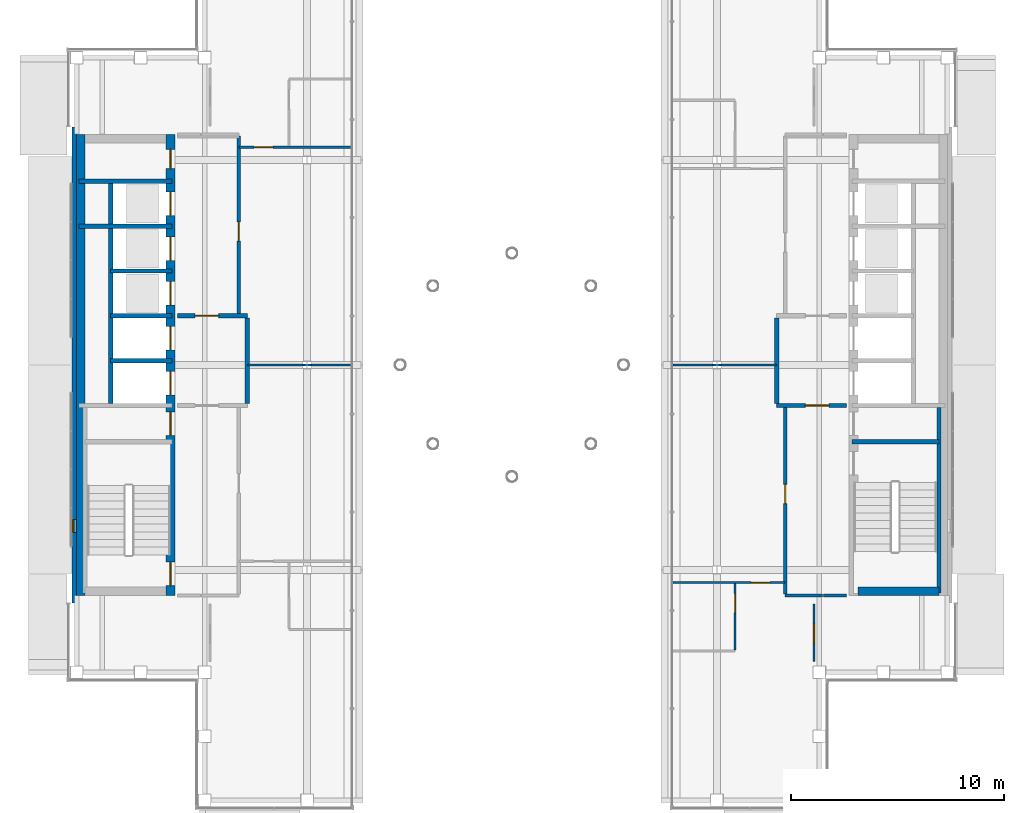
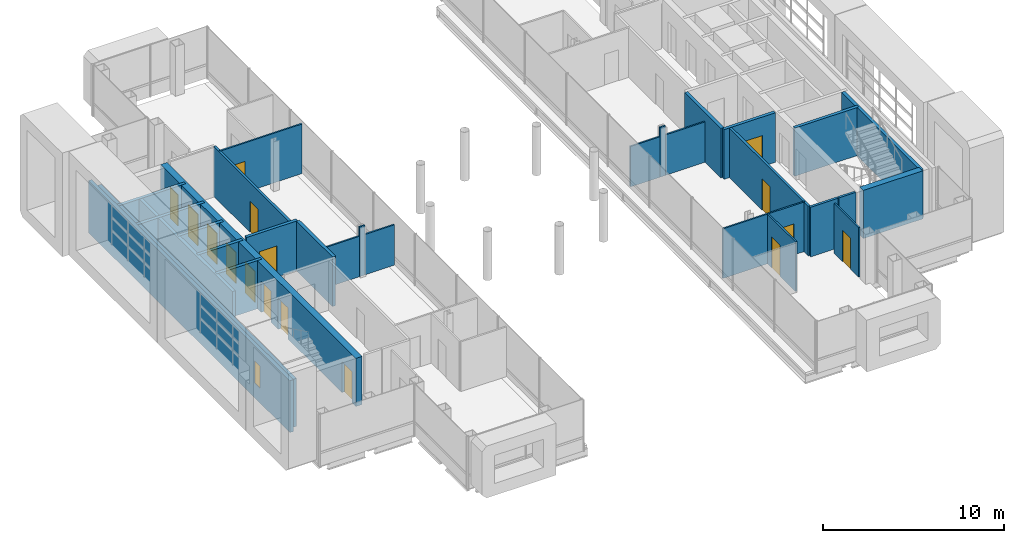
# One storey, part 11 of 21: 31 walls, 16 doors, 1 window, 17 openings.
"""IFC4 building model written with IfcOpenShell, lengths in metres."""

from ifc_helpers import new_model, si_unit, direction, frame, frame_2d, origin, place, context, subcontext, project, spatial, rectangle, extrude, material, layer, layer_set, type_object, element, fill, save


model = new_model("IFC4")

# Units and contexts
model_context = context("Model", 3, precision=1e-05, world=origin(), true_north=direction((0.0, 1.0)))
body_context = subcontext(model_context, "Body", "Model", "MODEL_VIEW")
ifc_project = project(units=[si_unit("LENGTHUNIT", "METRE"), si_unit("AREAUNIT", "SQUARE_METRE"), si_unit("VOLUMEUNIT", "CUBIC_METRE"), si_unit("PLANEANGLEUNIT", "RADIAN"), si_unit("MASSUNIT", "GRAM", prefix="KILO")], contexts=[model_context])

# Site, building, storey
site_placement = place(None, origin())
site = spatial("IfcSite", under=ifc_project, at=site_placement, CompositionType="ELEMENT")
building_placement = place(site_placement, origin())
building = spatial("IfcBuilding", under=site, at=building_placement, Name="Cobrizo Arcos Hotel Tower", CompositionType="ELEMENT")
storey_placement = place(building_placement, frame((0.0, 0.0, 269.0)))
storey = spatial("IfcBuildingStorey", under=building, at=storey_placement, Name="L71", CompositionType="ELEMENT", Elevation=269.0)

# Walls
ifc_material_1 = material(Name="Gypsum board partition")
ifc_layer_1 = layer(ifc_material_1, 0.14990234375)
ifc_layer_set_1 = layer_set([ifc_layer_1], Name="Corridor wall EI 60 150")
wall_type_1 = type_object("IfcWallType", Name="Corridor wall EI 60 150", PredefinedType="PARTITIONING", material=ifc_layer_set_1)
wall_1_placement = place(storey_placement, frame((12.800048828125, -10.800048828125, 0.0), z_axis=(0.0, 0.0, 1.0), x_axis=(1.0, 0.0, 0.0)))
element("IfcWall", 1, at=wall_1_placement, inside=storey, type_object=wall_type_1, Name="Partition 005", PredefinedType="PARTITIONING", context=body_context, shape_type="SweptSolid", body=[
    extrude(rectangle(XDim=1.75, YDim=0.14990234375, at=frame_2d((0.875, 0.0))), origin(), (0.0, 0.0, 1.0), 3.35009765625),
])
wall_2_placement = place(storey_placement, frame((14.60009765625, -10.800048828125, 0.0), z_axis=(0.0, 0.0, 1.0), x_axis=(1.0, 0.0, 0.0)))
element("IfcWall", 2, at=wall_2_placement, inside=storey, type_object=wall_type_1, Name="Partition 006", PredefinedType="PARTITIONING", context=body_context, shape_type="SweptSolid", body=[
    extrude(rectangle(XDim=1.079833984375, YDim=0.14990234375, at=frame_2d((0.5400390625, 0.0))), origin(), (0.0, 0.0, 1.0), 3.35009765625),
])

# Wall, opening, door
wall_3_placement = place(storey_placement, frame((-12.800048828125, 2.39990234375, 0.0), z_axis=(0.0, 0.0, 1.0), x_axis=(0.0, 1.0, 0.0)))
wall_3 = element("IfcWall", 3, at=wall_3_placement, inside=storey, type_object=wall_type_1, Name="Partition 049", PredefinedType="PARTITIONING", context=body_context, shape_type="SweptSolid", body=[
    extrude(rectangle(XDim=8.3251953125, YDim=0.14990234375, at=frame_2d((4.16259765625, 0.0))), origin(), (0.0, 0.0, 1.0), 3.35009765625),
])
opening_1_placement = place(wall_3_placement, frame((3.39990234375, 0.0, 0.0)))
opening_1 = element("IfcOpeningElement", 4, at=opening_1_placement, cuts=wall_3, Name="Opening RD-09", PredefinedType="OPENING", context=body_context, shape_type="SweptSolid", body=[
    extrude(rectangle(XDim=0.89990234375, YDim=2.10009765625, at=frame_2d((0.449951171875, 1.050048828125))), frame((0.0, 0.0869140625, 0.0), z_axis=(0.0, -1.0, 0.0), x_axis=(1.0, 0.0, 0.0)), (0.0, 0.0, 1.0), 0.173828125),
])
ifc_material_2 = material(Name="Timber door leaf", Category="wood")
door_type_1 = type_object("IfcDoorType", Name="Room door FD30 900x2100", OperationType="SINGLE_SWING_LEFT", PredefinedType="DOOR", material=ifc_material_2)
door_1_placement = place(opening_1_placement, origin())
door_1 = element("IfcDoor", 5, at=door_1_placement, inside=storey, type_object=door_type_1, Name="Door RD-09", OperationType="SINGLE_SWING_LEFT", OverallHeight=2.10009765625, OverallWidth=0.89990234375, PredefinedType="DOOR", context=body_context, shape_type="SweptSolid", body=[
    extrude(rectangle(XDim=0.89990234375, YDim=2.10009765625, at=frame_2d((0.449951171875, 1.050048828125))), frame((0.0, 0.02490234375, 0.0), z_axis=(0.0, -1.0, 0.0), x_axis=(1.0, 0.0, 0.0)), (0.0, 0.0, 1.0), 0.050048828125),
])
fill(opening_1, door_1)

wall_4_placement = place(storey_placement, frame((12.800048828125, -10.72509765625, 0.0), z_axis=(0.0, 0.0, 1.0), x_axis=(0.0, 1.0, 0.0)))
wall_4 = element("IfcWall", 6, at=wall_4_placement, inside=storey, type_object=wall_type_1, Name="Partition 056", PredefinedType="PARTITIONING", context=body_context, shape_type="SweptSolid", body=[
    extrude(rectangle(XDim=8.72509765625, YDim=0.14990234375, at=frame_2d((4.362548828125, 0.0))), origin(), (0.0, 0.0, 1.0), 3.35009765625),
])
opening_2_placement = place(wall_4_placement, frame((4.22509765625, 0.0, 0.0)))
opening_2 = element("IfcOpeningElement", 7, at=opening_2_placement, cuts=wall_4, Name="Opening RD-06", PredefinedType="OPENING", context=body_context, shape_type="SweptSolid", body=[
    extrude(rectangle(XDim=0.89990234375, YDim=2.10009765625, at=frame_2d((0.449951171875, 1.050048828125))), frame((0.0, 0.0869140625, 0.0), z_axis=(0.0, -1.0, 0.0), x_axis=(1.0, 0.0, 0.0)), (0.0, 0.0, 1.0), 0.173828125),
])
door_2_placement = place(opening_2_placement, origin())
door_2 = element("IfcDoor", 8, at=door_2_placement, inside=storey, type_object=door_type_1, Name="Door RD-06", OperationType="SINGLE_SWING_LEFT", OverallHeight=2.10009765625, OverallWidth=0.89990234375, PredefinedType="DOOR", context=body_context, shape_type="SweptSolid", body=[
    extrude(rectangle(XDim=0.89990234375, YDim=2.10009765625, at=frame_2d((0.449951171875, 1.050048828125))), frame((0.0, 0.02490234375, 0.0), z_axis=(0.0, -1.0, 0.0), x_axis=(1.0, 0.0, 0.0)), (0.0, 0.0, 1.0), 0.050048828125),
])
fill(opening_2, door_2)

# Wall, opening, window
ifc_material_3 = material(Name="Aluminium composite panel pale metal", Category="aluminium")
ifc_layer_2 = layer(ifc_material_3, 0.22509765625)
ifc_layer_set_2 = layer_set([ifc_layer_2], Name="EW-1 insulated panel wall 225")
wall_type_2 = type_object("IfcWallType", Name="EW-1 insulated panel wall 225", PredefinedType="SOLIDWALL", material=ifc_layer_set_2)
wall_5_placement = place(storey_placement, frame((-20.512451171875, 11.14990234375, 0.0), z_axis=(0.0, 0.0, 1.0), x_axis=(0.0, -1.0, 0.0)))
wall_5 = element("IfcWall", 9, at=wall_5_placement, inside=storey, type_object=wall_type_2, Name="Core face wall L71 W", PredefinedType="SOLIDWALL", context=body_context, shape_type="SweptSolid", body=[
    extrude(rectangle(XDim=22.2998046875, YDim=0.22509765625, at=frame_2d((11.14990234375, 0.0))), origin(), (0.0, 0.0, 1.0), 3.5),
])
opening_3_placement = place(wall_5_placement, frame((18.39990234375, 0.0, 1.0)))
opening_3 = element("IfcOpeningElement", 10, at=opening_3_placement, cuts=wall_5, Name="Opening W-162", PredefinedType="OPENING", context=body_context, shape_type="SweptSolid", body=[
    extrude(rectangle(XDim=0.60009765625, YDim=1.5, at=frame_2d((0.300048828125, 0.75))), frame((0.0, 0.12451171875, 0.0), z_axis=(0.0, -1.0, 0.0), x_axis=(1.0, 0.0, 0.0)), (0.0, 0.0, 1.0), 0.2490234375),
])
ifc_material_4 = material(Name="Aluminium 6063-T6 and clear laminated glass", Category="aluminium")
window_type = type_object("IfcWindowType", Name="W-C1 core stair slot window 600x1500", PartitioningType="SINGLE_PANEL", PredefinedType="WINDOW", material=ifc_material_4)
window_placement = place(opening_3_placement, origin())
window = element("IfcWindow", 11, at=window_placement, inside=storey, type_object=window_type, Name="Core face wall L71 W window W-162", OverallHeight=1.5, OverallWidth=0.60009765625, PartitioningType="SINGLE_PANEL", PredefinedType="WINDOW", context=body_context, shape_type="SweptSolid", body=[
    extrude(rectangle(XDim=0.60009765625, YDim=1.5, at=frame_2d((0.300048828125, 0.75))), frame((0.0, -0.0224609375, 0.0), z_axis=(0.0, -1.0, 0.0), x_axis=(1.0, 0.0, 0.0)), (0.0, 0.0, 1.0), 0.06005859375),
])
fill(opening_3, window)

# Wall, opening, door
ifc_layer_3 = layer(ifc_material_1, 0.10009765625)
ifc_layer_set_3 = layer_set([ifc_layer_3], Name="Partition EI 30 100")
wall_type_3 = type_object("IfcWallType", Name="Partition EI 30 100", PredefinedType="PARTITIONING", material=ifc_layer_set_3)
wall_6_placement = place(storey_placement, frame((7.5419921875, -10.199951171875, 0.0), z_axis=(0.0, 0.0, 1.0), x_axis=(1.0, 0.0, 0.0)))
wall_6 = element("IfcWall", 12, at=wall_6_placement, inside=storey, type_object=wall_type_3, Name="Partition 007", PredefinedType="PARTITIONING", context=body_context, shape_type="SweptSolid", body=[
    extrude(rectangle(XDim=5.258056640625, YDim=0.10009765625, at=frame_2d((2.62890625, 0.0))), origin(), (0.0, 0.0, 1.0), 3.35009765625),
])
opening_4_placement = place(wall_6_placement, frame((3.64404296875, 0.0, 0.0)))
opening_4 = element("IfcOpeningElement", 13, at=opening_4_placement, cuts=wall_6, Name="Opening RD-07", PredefinedType="OPENING", context=body_context, shape_type="SweptSolid", body=[
    extrude(rectangle(XDim=0.89990234375, YDim=2.10009765625, at=frame_2d((0.449951171875, 1.050048828125))), frame((0.0, 0.06201171875, 0.0), z_axis=(0.0, -1.0, 0.0), x_axis=(1.0, 0.0, 0.0)), (0.0, 0.0, 1.0), 0.1240234375),
])
door_3_placement = place(opening_4_placement, origin())
door_3 = element("IfcDoor", 14, at=door_3_placement, inside=storey, type_object=door_type_1, Name="Door RD-07", OperationType="SINGLE_SWING_LEFT", OverallHeight=2.10009765625, OverallWidth=0.89990234375, PredefinedType="DOOR", context=body_context, shape_type="SweptSolid", body=[
    extrude(rectangle(XDim=0.89990234375, YDim=2.10009765625, at=frame_2d((0.449951171875, 1.050048828125))), frame((0.0, 0.02490234375, 0.0), z_axis=(0.0, -1.0, 0.0), x_axis=(1.0, 0.0, 0.0)), (0.0, 0.0, 1.0), 0.050048828125),
])
fill(opening_4, door_3)

# Walls
wall_7_placement = place(storey_placement, frame((-12.39990234375, 0.0, 0.0), z_axis=(0.0, 0.0, 1.0), x_axis=(1.0, 0.0, 0.0)))
element("IfcWall", 15, at=wall_7_placement, inside=storey, type_object=wall_type_3, Name="Partition 015", PredefinedType="PARTITIONING", context=body_context, shape_type="SweptSolid", body=[
    extrude(rectangle(XDim=2.615966796875, YDim=0.10009765625, at=frame_2d((1.30810546875, 0.0))), origin(), (0.0, 0.0, 1.0), 2.72802734375),
])
wall_8_placement = place(storey_placement, frame((-9.783935546875, 0.0, 0.0), z_axis=(0.0, 0.0, 1.0), x_axis=(1.0, 0.0, 0.0)))
element("IfcWall", 16, at=wall_8_placement, inside=storey, type_object=wall_type_3, Name="Partition 016", PredefinedType="PARTITIONING", context=body_context, shape_type="SweptSolid", body=[
    extrude(rectangle(XDim=0.367919921875, YDim=0.10009765625, at=frame_2d((0.18408203125, 0.0))), origin(), (0.0, 0.0, 1.0), 3.35009765625),
])
for number, where, z_axis, x_axis, name in (
    (17, (-9.415771484375, 0.0, 0.0), (0.0, 0.0, 1.0), (1.0, 0.0, 0.0), "Partition 017"),
    (18, (7.5419921875, 0.0, 0.0), (0.0, 0.0, 1.0), (1.0, 0.0, 0.0), "Partition 018"),
):
    element("IfcWall", number, at=place(storey_placement, frame(where, z_axis=z_axis, x_axis=x_axis)), inside=storey, type_object=wall_type_3, Name=name, PredefinedType="PARTITIONING", context=body_context, shape_type="SweptSolid", body=[
        extrude(rectangle(XDim=1.873779296875, YDim=0.10009765625, at=frame_2d((0.93701171875, 0.0))), origin(), (0.0, 0.0, 1.0), 2.72802734375),
    ])
wall_9_placement = place(storey_placement, frame((9.416015625, 0.0, 0.0), z_axis=(0.0, 0.0, 1.0), x_axis=(1.0, 0.0, 0.0)))
element("IfcWall", 19, at=wall_9_placement, inside=storey, type_object=wall_type_3, Name="Partition 019", PredefinedType="PARTITIONING", context=body_context, shape_type="SweptSolid", body=[
    extrude(rectangle(XDim=0.367919921875, YDim=0.10009765625, at=frame_2d((0.18408203125, 0.0))), origin(), (0.0, 0.0, 1.0), 3.35009765625),
])
wall_10_placement = place(storey_placement, frame((9.783935546875, 0.0, 0.0), z_axis=(0.0, 0.0, 1.0), x_axis=(1.0, 0.0, 0.0)))
element("IfcWall", 20, at=wall_10_placement, inside=storey, type_object=wall_type_3, Name="Partition 020", PredefinedType="PARTITIONING", context=body_context, shape_type="SweptSolid", body=[
    extrude(rectangle(XDim=2.615966796875, YDim=0.10009765625, at=frame_2d((1.30810546875, 0.0))), origin(), (0.0, 0.0, 1.0), 2.72802734375),
])

# Wall, opening, door
wall_11_placement = place(storey_placement, frame((-12.800048828125, 10.199951171875, 0.0), z_axis=(0.0, 0.0, 1.0), x_axis=(1.0, 0.0, 0.0)))
wall_11 = element("IfcWall", 21, at=wall_11_placement, inside=storey, type_object=wall_type_3, Name="Partition 034", PredefinedType="PARTITIONING", context=body_context, shape_type="SweptSolid", body=[
    extrude(rectangle(XDim=5.258056640625, YDim=0.10009765625, at=frame_2d((2.62890625, 0.0))), origin(), (0.0, 0.0, 1.0), 3.35009765625),
])
opening_5_placement = place(wall_11_placement, frame((0.714111328125, 0.0, 0.0)))
opening_5 = element("IfcOpeningElement", 22, at=opening_5_placement, cuts=wall_11, Name="Opening RD-10", PredefinedType="OPENING", context=body_context, shape_type="SweptSolid", body=[
    extrude(rectangle(XDim=0.89990234375, YDim=2.10009765625, at=frame_2d((0.449951171875, 1.050048828125))), frame((0.0, 0.06201171875, 0.0), z_axis=(0.0, -1.0, 0.0), x_axis=(1.0, 0.0, 0.0)), (0.0, 0.0, 1.0), 0.1240234375),
])
door_4_placement = place(opening_5_placement, origin())
door_4 = element("IfcDoor", 23, at=door_4_placement, inside=storey, type_object=door_type_1, Name="Door RD-10", OperationType="SINGLE_SWING_LEFT", OverallHeight=2.10009765625, OverallWidth=0.89990234375, PredefinedType="DOOR", context=body_context, shape_type="SweptSolid", body=[
    extrude(rectangle(XDim=0.89990234375, YDim=2.10009765625, at=frame_2d((0.449951171875, 1.050048828125))), frame((0.0, 0.02490234375, 0.0), z_axis=(0.0, -1.0, 0.0), x_axis=(1.0, 0.0, 0.0)), (0.0, 0.0, 1.0), 0.050048828125),
])
fill(opening_5, door_4)

wall_12_placement = place(storey_placement, frame((10.449951171875, -13.35009765625, 0.0), z_axis=(0.0, 0.0, 1.0), x_axis=(0.0, 1.0, 0.0)))
wall_12 = element("IfcWall", 24, at=wall_12_placement, inside=storey, type_object=wall_type_3, Name="Partition 053", PredefinedType="PARTITIONING", context=body_context, shape_type="SweptSolid", body=[
    extrude(rectangle(XDim=3.10009765625, YDim=0.10009765625, at=frame_2d((1.550048828125, 0.0))), origin(), (0.0, 0.0, 1.0), 3.35009765625),
])
opening_6_placement = place(wall_12_placement, frame((1.739990234375, 0.0, 0.0)))
opening_6 = element("IfcOpeningElement", 25, at=opening_6_placement, cuts=wall_12, Name="Opening ED-02", PredefinedType="OPENING", context=body_context, shape_type="SweptSolid", body=[
    extrude(rectangle(XDim=0.89990234375, YDim=2.10009765625, at=frame_2d((0.449951171875, 1.050048828125))), frame((0.0, 0.06201171875, 0.0), z_axis=(0.0, -1.0, 0.0), x_axis=(1.0, 0.0, 0.0)), (0.0, 0.0, 1.0), 0.1240234375),
])
door_type_2 = type_object("IfcDoorType", Name="En-suite door 900x2100", OperationType="SINGLE_SWING_LEFT", PredefinedType="DOOR", material=ifc_material_2)
door_5_placement = place(opening_6_placement, origin())
door_5 = element("IfcDoor", 26, at=door_5_placement, inside=storey, type_object=door_type_2, Name="Door ED-02", OperationType="SINGLE_SWING_RIGHT", OverallHeight=2.10009765625, OverallWidth=0.89990234375, PredefinedType="DOOR", context=body_context, shape_type="SweptSolid", body=[
    extrude(rectangle(XDim=0.89990234375, YDim=2.10009765625, at=frame_2d((0.449951171875, 1.050048828125))), frame((0.0, 0.02490234375, 0.0), z_axis=(0.0, -1.0, 0.0), x_axis=(1.0, 0.0, 0.0)), (0.0, 0.0, 1.0), 0.050048828125),
])
fill(opening_6, door_5)

wall_13_placement = place(storey_placement, frame((14.14990234375, -13.89990234375, 0.0), z_axis=(0.0, 0.0, 1.0), x_axis=(0.0, 1.0, 0.0)))
wall_13 = element("IfcWall", 27, at=wall_13_placement, inside=storey, type_object=wall_type_3, Name="Partition 058", PredefinedType="PARTITIONING", context=body_context, shape_type="SweptSolid", body=[
    extrude(rectangle(XDim=2.699951171875, YDim=0.10009765625, at=frame_2d((1.35009765625, 0.0))), origin(), (0.0, 0.0, 1.0), 3.35009765625),
])
opening_7_placement = place(wall_13_placement, frame((0.85009765625, 0.0, 0.0)))
opening_7 = element("IfcOpeningElement", 28, at=opening_7_placement, cuts=wall_13, Name="Opening RD-08", PredefinedType="OPENING", context=body_context, shape_type="SweptSolid", body=[
    extrude(rectangle(XDim=0.89990234375, YDim=2.10009765625, at=frame_2d((0.449951171875, 1.050048828125))), frame((0.0, 0.06201171875, 0.0), z_axis=(0.0, -1.0, 0.0), x_axis=(1.0, 0.0, 0.0)), (0.0, 0.0, 1.0), 0.1240234375),
])
door_6_placement = place(opening_7_placement, origin())
door_6 = element("IfcDoor", 29, at=door_6_placement, inside=storey, type_object=door_type_1, Name="Door RD-08", OperationType="SINGLE_SWING_LEFT", OverallHeight=2.10009765625, OverallWidth=0.89990234375, PredefinedType="DOOR", context=body_context, shape_type="SweptSolid", body=[
    extrude(rectangle(XDim=0.89990234375, YDim=2.10009765625, at=frame_2d((0.449951171875, 1.050048828125))), frame((0.0, 0.02490234375, 0.0), z_axis=(0.0, -1.0, 0.0), x_axis=(1.0, 0.0, 0.0)), (0.0, 0.0, 1.0), 0.050048828125),
])
fill(opening_7, door_6)

# Wall
ifc_material_5 = material(Name="Concrete f'c 40 MPa", Category="concrete")
ifc_layer_4 = layer(ifc_material_5, 0.39990234375)
ifc_layer_set_4 = layer_set([ifc_layer_4], Name="RC core wall 400 f'c 40")
wall_type_4 = type_object("IfcWallType", Name="RC core wall 400 f'c 40", PredefinedType="SHEAR", material=ifc_layer_set_4)
wall_14_placement = place(storey_placement, frame((16.199951171875, -10.60009765625, 0.0), z_axis=(0.0, 0.0, 1.0), x_axis=(1.0, 0.0, 0.0)))
element("IfcWall", 30, at=wall_14_placement, inside=storey, type_object=wall_type_4, Name="Core wall CW4, east core, south end, L71", PredefinedType="SHEAR", context=body_context, shape_type="SweptSolid", body=[
    extrude(rectangle(XDim=3.800048828125, YDim=0.39990234375, at=frame_2d((1.89990234375, 0.0))), origin(), (0.0, 0.0, 1.0), 3.25),
])

# Wall, openings, doors
wall_15_placement = place(storey_placement, frame((-16.0, -10.800048828125, 0.0), z_axis=(0.0, 0.0, 1.0), x_axis=(0.0, 1.0, 0.0)))
wall_15 = element("IfcWall", 31, at=wall_15_placement, inside=storey, type_object=wall_type_4, Name="Core wall CW4, west core, inner face, L71", PredefinedType="SHEAR", context=body_context, shape_type="SweptSolid", body=[
    extrude(rectangle(XDim=21.60009765625, YDim=0.39990234375, at=frame_2d((10.800048828125, 0.0))), origin(), (0.0, 0.0, 1.0), 3.25),
])
opening_8_placement = place(wall_15_placement, frame((9.39990234375, 0.0, 0.0)))
opening_8 = element("IfcOpeningElement", 32, at=opening_8_placement, cuts=wall_15, Name="Opening LD-01", PredefinedType="OPENING", context=body_context, shape_type="SweptSolid", body=[
    extrude(rectangle(XDim=1.10009765625, YDim=2.10009765625, at=frame_2d((0.550048828125, 1.050048828125))), frame((0.0, 0.2119140625, 0.0), z_axis=(0.0, -1.0, 0.0), x_axis=(1.0, 0.0, 0.0)), (0.0, 0.0, 1.0), 0.423828125),
])
opening_9_placement = place(wall_15_placement, frame((11.5, 0.0, 0.0)))
opening_9 = element("IfcOpeningElement", 33, at=opening_9_placement, cuts=wall_15, Name="Opening LD-02", PredefinedType="OPENING", context=body_context, shape_type="SweptSolid", body=[
    extrude(rectangle(XDim=1.10009765625, YDim=2.10009765625, at=frame_2d((0.550048828125, 1.050048828125))), frame((0.0, 0.2119140625, 0.0), z_axis=(0.0, -1.0, 0.0), x_axis=(1.0, 0.0, 0.0)), (0.0, 0.0, 1.0), 0.423828125),
])
opening_10_placement = place(wall_15_placement, frame((13.60009765625, 0.0, 0.0)))
opening_10 = element("IfcOpeningElement", 34, at=opening_10_placement, cuts=wall_15, Name="Opening LD-03", PredefinedType="OPENING", context=body_context, shape_type="SweptSolid", body=[
    extrude(rectangle(XDim=1.10009765625, YDim=2.10009765625, at=frame_2d((0.550048828125, 1.050048828125))), frame((0.0, 0.2119140625, 0.0), z_axis=(0.0, -1.0, 0.0), x_axis=(1.0, 0.0, 0.0)), (0.0, 0.0, 1.0), 0.423828125),
])
opening_11_placement = place(wall_15_placement, frame((15.699951171875, 0.0, 0.0)))
opening_11 = element("IfcOpeningElement", 35, at=opening_11_placement, cuts=wall_15, Name="Opening LD-04", PredefinedType="OPENING", context=body_context, shape_type="SweptSolid", body=[
    extrude(rectangle(XDim=1.10009765625, YDim=2.10009765625, at=frame_2d((0.550048828125, 1.050048828125))), frame((0.0, 0.2119140625, 0.0), z_axis=(0.0, -1.0, 0.0), x_axis=(1.0, 0.0, 0.0)), (0.0, 0.0, 1.0), 0.423828125),
])
opening_12_placement = place(wall_15_placement, frame((17.800048828125, 0.0, 0.0)))
opening_12 = element("IfcOpeningElement", 36, at=opening_12_placement, cuts=wall_15, Name="Opening LD-05", PredefinedType="OPENING", context=body_context, shape_type="SweptSolid", body=[
    extrude(rectangle(XDim=1.10009765625, YDim=2.10009765625, at=frame_2d((0.550048828125, 1.050048828125))), frame((0.0, 0.2119140625, 0.0), z_axis=(0.0, -1.0, 0.0), x_axis=(1.0, 0.0, 0.0)), (0.0, 0.0, 1.0), 0.423828125),
])
opening_13_placement = place(wall_15_placement, frame((0.4580078125, 0.0, 0.0)))
opening_13 = element("IfcOpeningElement", 37, at=opening_13_placement, cuts=wall_15, Name="Opening SD-01", PredefinedType="OPENING", context=body_context, shape_type="SweptSolid", body=[
    extrude(rectangle(XDim=1.10009765625, YDim=2.10009765625, at=frame_2d((0.550048828125, 1.050048828125))), frame((0.0, 0.2119140625, 0.0), z_axis=(0.0, -1.0, 0.0), x_axis=(1.0, 0.0, 0.0)), (0.0, 0.0, 1.0), 0.423828125),
])
opening_14_placement = place(wall_15_placement, frame((7.5, 0.0, 0.0)))
opening_14 = element("IfcOpeningElement", 38, at=opening_14_placement, cuts=wall_15, Name="Opening FD-01", PredefinedType="OPENING", context=body_context, shape_type="SweptSolid", body=[
    extrude(rectangle(XDim=1.10009765625, YDim=2.10009765625, at=frame_2d((0.550048828125, 1.050048828125))), frame((0.0, 0.2119140625, 0.0), z_axis=(0.0, -1.0, 0.0), x_axis=(1.0, 0.0, 0.0)), (0.0, 0.0, 1.0), 0.423828125),
])
opening_15_placement = place(wall_15_placement, frame((20.0, 0.0, 0.0)))
opening_15 = element("IfcOpeningElement", 39, at=opening_15_placement, cuts=wall_15, Name="Opening RD-01", PredefinedType="OPENING", context=body_context, shape_type="SweptSolid", body=[
    extrude(rectangle(XDim=0.89990234375, YDim=2.10009765625, at=frame_2d((0.449951171875, 1.050048828125))), frame((0.0, 0.2119140625, 0.0), z_axis=(0.0, -1.0, 0.0), x_axis=(1.0, 0.0, 0.0)), (0.0, 0.0, 1.0), 0.423828125),
])
ifc_material_6 = material(Name="Steel door leaf", Category="steel")
door_type_3 = type_object("IfcDoorType", Name="Fire door FD60 1100x2100", OperationType="SINGLE_SWING_LEFT", PredefinedType="DOOR", material=ifc_material_6)
door_7_placement = place(opening_14_placement, origin())
door_7 = element("IfcDoor", 40, at=door_7_placement, inside=storey, type_object=door_type_3, Name="Door FD-01", OperationType="SINGLE_SWING_LEFT", OverallHeight=2.10009765625, OverallWidth=1.10009765625, PredefinedType="DOOR", context=body_context, shape_type="SweptSolid", body=[
    extrude(rectangle(XDim=1.10009765625, YDim=2.10009765625, at=frame_2d((0.550048828125, 1.050048828125))), frame((0.0, 0.02490234375, 0.0), z_axis=(0.0, -1.0, 0.0), x_axis=(1.0, 0.0, 0.0)), (0.0, 0.0, 1.0), 0.050048828125),
])
fill(opening_14, door_7)
door_type_4 = type_object("IfcDoorType", Name="Lift landing door 1100x2100", OperationType="SLIDING_TO_LEFT", PredefinedType="DOOR", material=ifc_material_6)
door_8_placement = place(opening_8_placement, origin())
door_8 = element("IfcDoor", 41, at=door_8_placement, inside=storey, type_object=door_type_4, Name="Lift landing door LD-01", OperationType="SLIDING_TO_LEFT", OverallHeight=2.10009765625, OverallWidth=1.10009765625, PredefinedType="DOOR", context=body_context, shape_type="SweptSolid", body=[
    extrude(rectangle(XDim=1.10009765625, YDim=2.10009765625, at=frame_2d((0.550048828125, 1.050048828125))), frame((0.0, 0.02490234375, 0.0), z_axis=(0.0, -1.0, 0.0), x_axis=(1.0, 0.0, 0.0)), (0.0, 0.0, 1.0), 0.050048828125),
])
fill(opening_8, door_8)
door_9_placement = place(opening_9_placement, origin())
door_9 = element("IfcDoor", 42, at=door_9_placement, inside=storey, type_object=door_type_4, Name="Lift landing door LD-02", OperationType="SLIDING_TO_LEFT", OverallHeight=2.10009765625, OverallWidth=1.10009765625, PredefinedType="DOOR", context=body_context, shape_type="SweptSolid", body=[
    extrude(rectangle(XDim=1.10009765625, YDim=2.10009765625, at=frame_2d((0.550048828125, 1.050048828125))), frame((0.0, 0.02490234375, 0.0), z_axis=(0.0, -1.0, 0.0), x_axis=(1.0, 0.0, 0.0)), (0.0, 0.0, 1.0), 0.050048828125),
])
fill(opening_9, door_9)
door_10_placement = place(opening_10_placement, origin())
door_10 = element("IfcDoor", 43, at=door_10_placement, inside=storey, type_object=door_type_4, Name="Lift landing door LD-03", OperationType="SLIDING_TO_LEFT", OverallHeight=2.10009765625, OverallWidth=1.10009765625, PredefinedType="DOOR", context=body_context, shape_type="SweptSolid", body=[
    extrude(rectangle(XDim=1.10009765625, YDim=2.10009765625, at=frame_2d((0.550048828125, 1.050048828125))), frame((0.0, 0.02490234375, 0.0), z_axis=(0.0, -1.0, 0.0), x_axis=(1.0, 0.0, 0.0)), (0.0, 0.0, 1.0), 0.050048828125),
])
fill(opening_10, door_10)
door_11_placement = place(opening_11_placement, origin())
door_11 = element("IfcDoor", 44, at=door_11_placement, inside=storey, type_object=door_type_4, Name="Lift landing door LD-04", OperationType="SLIDING_TO_LEFT", OverallHeight=2.10009765625, OverallWidth=1.10009765625, PredefinedType="DOOR", context=body_context, shape_type="SweptSolid", body=[
    extrude(rectangle(XDim=1.10009765625, YDim=2.10009765625, at=frame_2d((0.550048828125, 1.050048828125))), frame((0.0, 0.02490234375, 0.0), z_axis=(0.0, -1.0, 0.0), x_axis=(1.0, 0.0, 0.0)), (0.0, 0.0, 1.0), 0.050048828125),
])
fill(opening_11, door_11)
door_12_placement = place(opening_12_placement, origin())
door_12 = element("IfcDoor", 45, at=door_12_placement, inside=storey, type_object=door_type_4, Name="Lift landing door LD-05", OperationType="SLIDING_TO_LEFT", OverallHeight=2.10009765625, OverallWidth=1.10009765625, PredefinedType="DOOR", context=body_context, shape_type="SweptSolid", body=[
    extrude(rectangle(XDim=1.10009765625, YDim=2.10009765625, at=frame_2d((0.550048828125, 1.050048828125))), frame((0.0, 0.02490234375, 0.0), z_axis=(0.0, -1.0, 0.0), x_axis=(1.0, 0.0, 0.0)), (0.0, 0.0, 1.0), 0.050048828125),
])
fill(opening_12, door_12)
door_13_placement = place(opening_15_placement, origin())
door_13 = element("IfcDoor", 46, at=door_13_placement, inside=storey, type_object=door_type_1, Name="Door RD-01", OperationType="SINGLE_SWING_LEFT", OverallHeight=2.10009765625, OverallWidth=0.89990234375, PredefinedType="DOOR", context=body_context, shape_type="SweptSolid", body=[
    extrude(rectangle(XDim=0.89990234375, YDim=2.10009765625, at=frame_2d((0.449951171875, 1.050048828125))), frame((0.0, 0.02490234375, 0.0), z_axis=(0.0, -1.0, 0.0), x_axis=(1.0, 0.0, 0.0)), (0.0, 0.0, 1.0), 0.050048828125),
])
fill(opening_15, door_13)
door_type_5 = type_object("IfcDoorType", Name="Stair door FD60S 1100x2100", OperationType="SINGLE_SWING_LEFT", PredefinedType="DOOR", material=ifc_material_6)
door_14_placement = place(opening_13_placement, origin())
door_14 = element("IfcDoor", 47, at=door_14_placement, inside=storey, type_object=door_type_5, Name="Door SD-01", OperationType="SINGLE_SWING_RIGHT", OverallHeight=2.10009765625, OverallWidth=1.10009765625, PredefinedType="DOOR", context=body_context, shape_type="SweptSolid", body=[
    extrude(rectangle(XDim=1.10009765625, YDim=2.10009765625, at=frame_2d((0.550048828125, 1.050048828125))), frame((0.0, 0.02490234375, 0.0), z_axis=(0.0, -1.0, 0.0), x_axis=(1.0, 0.0, 0.0)), (0.0, 0.0, 1.0), 0.050048828125),
])
fill(opening_13, door_14)

# Wall
wall_16_placement = place(storey_placement, frame((-20.199951171875, -10.800048828125, 0.0), z_axis=(0.0, 0.0, 1.0), x_axis=(0.0, 1.0, 0.0)))
element("IfcWall", 48, at=wall_16_placement, inside=storey, type_object=wall_type_4, Name="Core wall CW4, west core, outer face, L71", PredefinedType="SHEAR", context=body_context, shape_type="SweptSolid", body=[
    extrude(rectangle(XDim=21.60009765625, YDim=0.39990234375, at=frame_2d((10.800048828125, 0.0))), origin(), (0.0, 0.0, 1.0), 3.25),
])

# Wall, opening, door
ifc_layer_5 = layer(ifc_material_1, 0.199951171875)
ifc_layer_set_5 = layer_set([ifc_layer_5], Name="Shaft wall EI 120 200")
wall_type_5 = type_object("IfcWallType", Name="Shaft wall EI 120 200", PredefinedType="PARTITIONING", material=ifc_layer_set_5)
wall_17_placement = place(storey_placement, frame((12.39990234375, -1.89990234375, 0.0), z_axis=(0.0, 0.0, 1.0), x_axis=(1.0, 0.0, 0.0)))
wall_17 = element("IfcWall", 49, at=wall_17_placement, inside=storey, type_object=wall_type_5, Name="Partition 013", PredefinedType="PARTITIONING", context=body_context, shape_type="SweptSolid", body=[
    extrude(rectangle(XDim=3.280029296875, YDim=0.199951171875, at=frame_2d((1.64013671875, 0.0))), origin(), (0.0, 0.0, 1.0), 3.35009765625),
])
opening_16_placement = place(wall_17_placement, frame((1.340087890625, 0.0, 0.0)))
opening_16 = element("IfcOpeningElement", 50, at=opening_16_placement, cuts=wall_17, Name="Opening FD-06", PredefinedType="OPENING", context=body_context, shape_type="SweptSolid", body=[
    extrude(rectangle(XDim=1.10009765625, YDim=2.10009765625, at=frame_2d((0.550048828125, 1.050048828125))), frame((0.0, 0.112060546875, 0.0), z_axis=(0.0, -1.0, 0.0), x_axis=(1.0, 0.0, 0.0)), (0.0, 0.0, 1.0), 0.223876953125),
])
door_15_placement = place(opening_16_placement, origin())
door_15 = element("IfcDoor", 51, at=door_15_placement, inside=storey, type_object=door_type_3, Name="Door FD-06", OperationType="SINGLE_SWING_RIGHT", OverallHeight=2.10009765625, OverallWidth=1.10009765625, PredefinedType="DOOR", context=body_context, shape_type="SweptSolid", body=[
    extrude(rectangle(XDim=1.10009765625, YDim=2.10009765625, at=frame_2d((0.550048828125, 1.050048828125))), frame((0.0, 0.02490234375, 0.0), z_axis=(0.0, -1.0, 0.0), x_axis=(1.0, 0.0, 0.0)), (0.0, 0.0, 1.0), 0.050048828125),
])
fill(opening_16, door_15)

# Walls
for number, where, z_axis, x_axis, name in (
    (52, (-18.800048828125, 0.199951171875, 0.0), (0.0, 0.0, 1.0), (1.0, 0.0, 0.0), "Partition 021"),
    (53, (-18.800048828125, 2.300048828125, 0.0), (0.0, 0.0, 1.0), (1.0, 0.0, 0.0), "Partition 023"),
):
    element("IfcWall", number, at=place(storey_placement, frame(where, z_axis=z_axis, x_axis=x_axis)), inside=storey, type_object=wall_type_5, Name=name, PredefinedType="PARTITIONING", context=body_context, shape_type="SweptSolid", body=[
        extrude(rectangle(XDim=2.880126953125, YDim=0.199951171875, at=frame_2d((1.43994140625, 0.0))), origin(), (0.0, 0.0, 1.0), 3.25),
    ])

# Wall, opening, door
wall_18_placement = place(storey_placement, frame((-15.679931640625, 2.300048828125, 0.0), z_axis=(0.0, 0.0, 1.0), x_axis=(1.0, 0.0, 0.0)))
wall_18 = element("IfcWall", 54, at=wall_18_placement, inside=storey, type_object=wall_type_5, Name="Partition 024", PredefinedType="PARTITIONING", context=body_context, shape_type="SweptSolid", body=[
    extrude(rectangle(XDim=3.280029296875, YDim=0.199951171875, at=frame_2d((1.64013671875, 0.0))), origin(), (0.0, 0.0, 1.0), 3.35009765625),
])
opening_17_placement = place(wall_18_placement, frame((0.840087890625, 0.0, 0.0)))
opening_17 = element("IfcOpeningElement", 55, at=opening_17_placement, cuts=wall_18, Name="Opening FD-02", PredefinedType="OPENING", context=body_context, shape_type="SweptSolid", body=[
    extrude(rectangle(XDim=1.10009765625, YDim=2.10009765625, at=frame_2d((0.550048828125, 1.050048828125))), frame((0.0, 0.112060546875, 0.0), z_axis=(0.0, -1.0, 0.0), x_axis=(1.0, 0.0, 0.0)), (0.0, 0.0, 1.0), 0.223876953125),
])
door_16_placement = place(opening_17_placement, origin())
door_16 = element("IfcDoor", 56, at=door_16_placement, inside=storey, type_object=door_type_3, Name="Door FD-02", OperationType="SINGLE_SWING_RIGHT", OverallHeight=2.10009765625, OverallWidth=1.10009765625, PredefinedType="DOOR", context=body_context, shape_type="SweptSolid", body=[
    extrude(rectangle(XDim=1.10009765625, YDim=2.10009765625, at=frame_2d((0.550048828125, 1.050048828125))), frame((0.0, 0.02490234375, 0.0), z_axis=(0.0, -1.0, 0.0), x_axis=(1.0, 0.0, 0.0)), (0.0, 0.0, 1.0), 0.050048828125),
])
fill(opening_17, door_16)

# Walls
wall_19_placement = place(storey_placement, frame((-18.800048828125, 4.39990234375, 0.0), z_axis=(0.0, 0.0, 1.0), x_axis=(1.0, 0.0, 0.0)))
element("IfcWall", 57, at=wall_19_placement, inside=storey, type_object=wall_type_5, Name="Partition 027", PredefinedType="PARTITIONING", context=body_context, shape_type="SweptSolid", body=[
    extrude(rectangle(XDim=2.880126953125, YDim=0.199951171875, at=frame_2d((1.43994140625, 0.0))), origin(), (0.0, 0.0, 1.0), 3.25),
])
for number, where, z_axis, x_axis, name in (
    (58, (-20.280029296875, 6.5, 0.0), (0.0, 0.0, 1.0), (1.0, 0.0, 0.0), "Partition 029"),
    (59, (-20.280029296875, 8.60009765625, 0.0), (0.0, 0.0, 1.0), (1.0, 0.0, 0.0), "Partition 031"),
):
    element("IfcWall", number, at=place(storey_placement, frame(where, z_axis=z_axis, x_axis=x_axis)), inside=storey, type_object=wall_type_5, Name=name, PredefinedType="PARTITIONING", context=body_context, shape_type="SweptSolid", body=[
        extrude(rectangle(XDim=4.360107421875, YDim=0.199951171875, at=frame_2d((2.18017578125, 0.0))), origin(), (0.0, 0.0, 1.0), 3.25),
    ])
wall_20_placement = place(storey_placement, frame((-18.800048828125, -1.800048828125, 0.0), z_axis=(0.0, 0.0, 1.0), x_axis=(0.0, 1.0, 0.0)))
element("IfcWall", 60, at=wall_20_placement, inside=storey, type_object=wall_type_5, Name="Partition 044", PredefinedType="PARTITIONING", context=body_context, shape_type="SweptSolid", body=[
    extrude(rectangle(XDim=8.199951171875, YDim=0.199951171875, at=frame_2d((4.10009765625, 0.0))), origin(), (0.0, 0.0, 1.0), 3.25),
])
wall_21_placement = place(storey_placement, frame((-18.800048828125, 6.60009765625, 0.0), z_axis=(0.0, 0.0, 1.0), x_axis=(0.0, 1.0, 0.0)))
element("IfcWall", 61, at=wall_21_placement, inside=storey, type_object=wall_type_5, Name="Partition 045", PredefinedType="PARTITIONING", context=body_context, shape_type="SweptSolid", body=[
    extrude(rectangle(XDim=1.89990234375, YDim=0.199951171875, at=frame_2d((0.949951171875, 0.0))), origin(), (0.0, 0.0, 1.0), 3.25),
])
for number, where, z_axis, x_axis, name in (
    (62, (-12.39990234375, -1.800048828125, 0.0), (0.0, 0.0, 1.0), (0.0, 1.0, 0.0), "Partition 050"),
    (63, (12.39990234375, -1.800048828125, 0.0), (0.0, 0.0, 1.0), (0.0, 1.0, 0.0), "Partition 055"),
):
    element("IfcWall", number, at=place(storey_placement, frame(where, z_axis=z_axis, x_axis=x_axis)), inside=storey, type_object=wall_type_5, Name=name, PredefinedType="PARTITIONING", context=body_context, shape_type="SweptSolid", body=[
        extrude(rectangle(XDim=4.0, YDim=0.199951171875, at=frame_2d((2.0, 0.0))), origin(), (0.0, 0.0, 1.0), 3.35009765625),
    ])
ifc_layer_6 = layer(ifc_material_5, 0.199951171875)
ifc_layer_set_6 = layer_set([ifc_layer_6], Name="Stair shaft wall 200")
wall_type_6 = type_object("IfcWallType", Name="Stair shaft wall 200", PredefinedType="SHEAR", material=ifc_layer_set_6)
wall_22_placement = place(storey_placement, frame((15.919921875, -3.60009765625, 0.0), z_axis=(0.0, 0.0, 1.0), x_axis=(1.0, 0.0, 0.0)))
element("IfcWall", 64, at=wall_22_placement, inside=storey, type_object=wall_type_6, Name="Stair shaft wall E", PredefinedType="SHEAR", context=body_context, shape_type="SweptSolid", body=[
    extrude(rectangle(XDim=4.080078125, YDim=0.199951171875, at=frame_2d((2.0400390625, 0.0))), origin(), (0.0, 0.0, 1.0), 3.25),
])
wall_23_placement = place(storey_placement, frame((20.0, -10.679931640625, 0.0), z_axis=(0.0, 0.0, 1.0), x_axis=(0.0, 1.0, 0.0)))
element("IfcWall", 65, at=wall_23_placement, inside=storey, type_object=wall_type_6, Name="Stair shaft wall E", PredefinedType="SHEAR", context=body_context, shape_type="SweptSolid", body=[
    extrude(rectangle(XDim=8.679931640625, YDim=0.199951171875, at=frame_2d((4.33984375, 0.0))), origin(), (0.0, 0.0, 1.0), 3.25),
])

save(model, "model.ifc")
